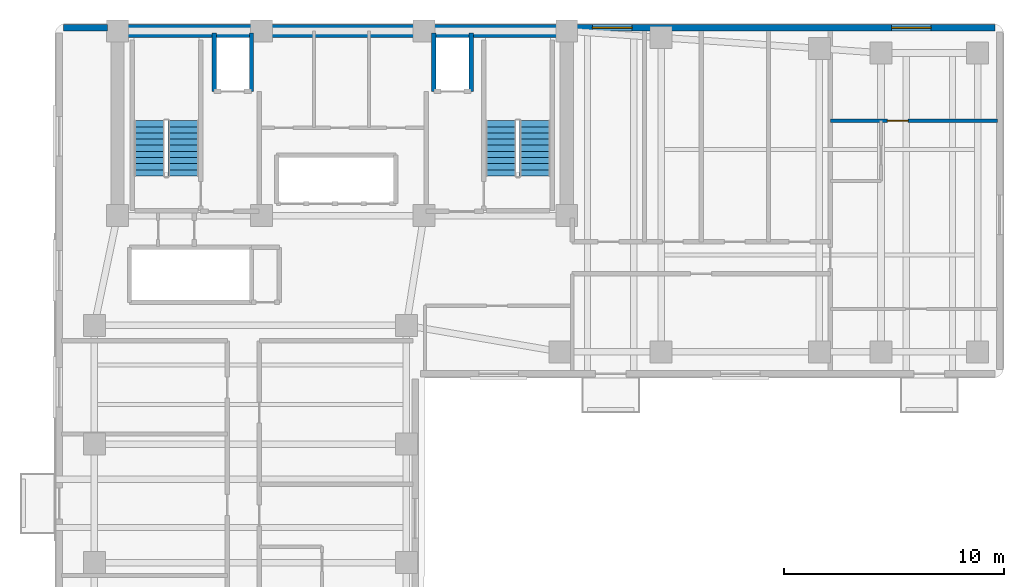
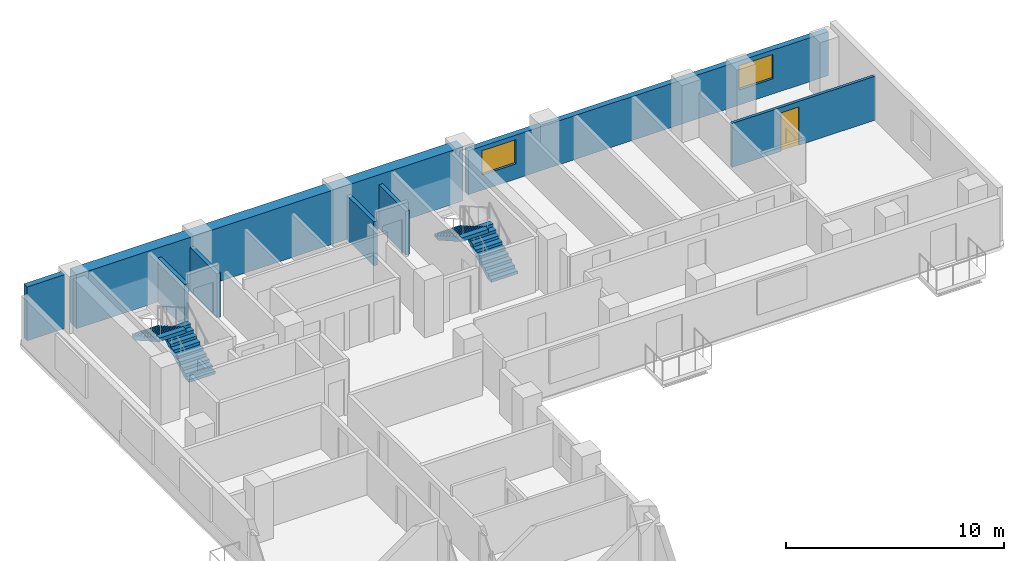
# One storey, part 5 of 7: 8 walls, 4 stair flights, 2 windows, 1 door, 3 openings, 2 elements without a shape of their own.
"""IFC4 building model written with IfcOpenShell, lengths in metres."""

from ifc_helpers import new_model, si_unit, direction, frame, frame_2d, origin, place, context, subcontext, project, spatial, polyline, rectangle, outline, extrude, material, layer, layer_set, type_object, element, fill, aggregate, save


model = new_model("IFC4")

# Units and contexts
model_context = context("Model", 3, precision=1e-05, world=origin(), true_north=direction((0.0, 1.0)))
body_context = subcontext(model_context, "Body", "Model", "MODEL_VIEW")
ifc_project = project(units=[si_unit("LENGTHUNIT", "METRE"), si_unit("AREAUNIT", "SQUARE_METRE"), si_unit("VOLUMEUNIT", "CUBIC_METRE"), si_unit("PLANEANGLEUNIT", "RADIAN"), si_unit("MASSUNIT", "GRAM", prefix="KILO")], contexts=[model_context])

# Site, building, storey
site_placement = place(None, origin())
site = spatial("IfcSite", under=ifc_project, at=site_placement, CompositionType="ELEMENT")
building_placement = place(site_placement, origin())
building = spatial("IfcBuilding", under=site, at=building_placement, Name="Kuzgunbayir Cultural Tower", CompositionType="ELEMENT")
storey_placement = place(building_placement, frame((0.0, 0.0, 133.0)))
storey = spatial("IfcBuildingStorey", under=building, at=storey_placement, Name="L38", CompositionType="ELEMENT", Elevation=133.0)

# Wall
ifc_material_1 = material(Name="Concrete C60/75", Category="concrete")
ifc_layer_1 = layer(ifc_material_1, 0.60009765625)
ifc_layer_set_1 = layer_set([ifc_layer_1], Name="Concrete C60/75")
wall_type_1 = type_object("IfcWallType", Name="WAL-CORE-600", PredefinedType="SHEAR", material=ifc_layer_set_1)
wall_1_placement = place(storey_placement, frame((6.449951171875, 42.199951171875, 0.0), z_axis=(0.0, 0.0, 1.0), x_axis=(1.0, 0.0, 0.0)))
element("IfcWall", 1, at=wall_1_placement, inside=storey, type_object=wall_type_1, Name="L38 T1 Core North Shear Wall", PredefinedType="SHEAR", context=body_context, shape_type="SweptSolid", body=[
    extrude(rectangle(XDim=20.449951171875, YDim=0.60009765625, at=frame_2d((10.22509765625, 0.0))), origin(), (0.0, 0.0, 1.0), 3.02001953125),
])

# Wall, openings, windows
ifc_material_2 = material(Name="Anatolian Cream Limestone", Category="masonry")
ifc_layer_2 = layer(ifc_material_2, 0.300048828125)
ifc_layer_set_2 = layer_set([ifc_layer_2], Name="Anatolian Cream Limestone")
wall_type_2 = type_object("IfcWallType", Name="WAL-EXT-STONE-300", PredefinedType="STANDARD", material=ifc_layer_set_2)
wall_2_placement = place(storey_placement, frame((46.39990234375, 42.35009765625, 0.0), z_axis=(0.0, 0.0, 1.0), x_axis=(-1.0, 0.0, 0.0)))
wall_2 = element("IfcWall", 2, at=wall_2_placement, inside=storey, type_object=wall_type_2, Name="L38 North Wing B Limestone Wall", PredefinedType="STANDARD", context=body_context, shape_type="SweptSolid", body=[
    extrude(rectangle(XDim=19.0498046875, YDim=0.300048828125, at=frame_2d((9.52490234375, 0.0))), origin(), (0.0, 0.0, 1.0), 2.4599609375),
])
opening_1_placement = place(wall_2_placement, frame((2.919921875, 0.0, 0.85009765625)))
opening_1 = element("IfcOpeningElement", 3, at=opening_1_placement, cuts=wall_2, Name="Opening WH-18", PredefinedType="OPENING", context=body_context, shape_type="SweptSolid", body=[
    extrude(rectangle(XDim=1.800048828125, YDim=1.360107421875, at=frame_2d((0.89990234375, 0.68017578125))), frame((0.0, 0.16015625, 0.0), z_axis=(0.0, -1.0, 0.0), x_axis=(1.0, 0.0, 0.0)), (0.0, 0.0, 1.0), 0.320068359375),
])
opening_2_placement = place(wall_2_placement, frame((16.530029296875, 0.0, 0.85009765625)))
opening_2 = element("IfcOpeningElement", 4, at=opening_2_placement, cuts=wall_2, Name="Opening WH-18", PredefinedType="OPENING", context=body_context, shape_type="SweptSolid", body=[
    extrude(rectangle(XDim=1.800048828125, YDim=1.360107421875, at=frame_2d((0.89990234375, 0.68017578125))), frame((0.0, 0.16015625, 0.0), z_axis=(0.0, -1.0, 0.0), x_axis=(1.0, 0.0, 0.0)), (0.0, 0.0, 1.0), 0.320068359375),
])
ifc_material_3 = material(Name="Solar-Control Triple Glazing", Category="glass")
window_type = type_object("IfcWindowType", Name="WIN-HOTEL-18", PartitioningType="SINGLE_PANEL", PredefinedType="WINDOW", material=ifc_material_3)
window_1_placement = place(opening_1_placement, origin())
window_1 = element("IfcWindow", 5, at=window_1_placement, inside=storey, type_object=window_type, Name="L38 CRN Facade Window 8", OverallHeight=1.360107421875, OverallWidth=1.800048828125, PartitioningType="SINGLE_PANEL", PredefinedType="WINDOW", context=body_context, shape_type="SweptSolid", body=[
    extrude(rectangle(XDim=1.800048828125, YDim=1.360107421875, at=frame_2d((0.89990234375, 0.68017578125))), frame((0.0, 0.030029296875, 0.0), z_axis=(0.0, -1.0, 0.0), x_axis=(1.0, 0.0, 0.0)), (0.0, 0.0, 1.0), 0.06005859375),
])
fill(opening_1, window_1)
window_2_placement = place(opening_2_placement, origin())
window_2 = element("IfcWindow", 6, at=window_2_placement, inside=storey, type_object=window_type, Name="L38 CRN Facade Window 9", OverallHeight=1.360107421875, OverallWidth=1.800048828125, PartitioningType="SINGLE_PANEL", PredefinedType="WINDOW", context=body_context, shape_type="SweptSolid", body=[
    extrude(rectangle(XDim=1.800048828125, YDim=1.360107421875, at=frame_2d((0.89990234375, 0.68017578125))), frame((0.0, 0.030029296875, 0.0), z_axis=(0.0, -1.0, 0.0), x_axis=(1.0, 0.0, 0.0)), (0.0, 0.0, 1.0), 0.06005859375),
])
fill(opening_2, window_2)

# Wall
wall_3_placement = place(storey_placement, frame((6.0, 42.35009765625, 0.0), z_axis=(0.0, 0.0, 1.0), x_axis=(-1.0, 0.0, 0.0)))
element("IfcWall", 7, at=wall_3_placement, inside=storey, type_object=wall_type_2, Name="L38 Core North-West Spandrel Link", PredefinedType="STANDARD", context=body_context, shape_type="SweptSolid", body=[
    extrude(rectangle(XDim=2.0, YDim=0.300048828125, at=frame_2d((1.0, 0.0))), origin(), (0.0, 0.0, 1.0), 3.02001953125),
])

# Wall, opening, door
ifc_material_4 = material(Name="Acoustic Double-Stud Drywall", Category="gypsum")
ifc_layer_3 = layer(ifc_material_4, 0.14990234375)
ifc_layer_set_3 = layer_set([ifc_layer_3], Name="Acoustic Double-Stud Drywall")
wall_type_3 = type_object("IfcWallType", Name="WAL-PART-ACOUSTIC-150", PredefinedType="PARTITIONING", material=ifc_layer_set_3)
wall_4_placement = place(storey_placement, frame((38.89990234375, 38.1201171875, 0.0), z_axis=(0.0, 0.0, 1.0), x_axis=(1.0, 0.0, 0.0)))
wall_4 = element("IfcWall", 8, at=wall_4_placement, inside=storey, type_object=wall_type_3, Name="L38 Corner Suite Bedroom Wall", PredefinedType="PARTITIONING", context=body_context, shape_type="SweptSolid", body=[
    extrude(rectangle(XDim=7.60009765625, YDim=0.14990234375, at=frame_2d((3.800048828125, 0.0))), origin(), (0.0, 0.0, 1.0), 2.4599609375),
])
opening_3_placement = place(wall_4_placement, frame((2.590087890625, 0.0, 0.0)))
opening_3 = element("IfcOpeningElement", 9, at=opening_3_placement, cuts=wall_4, Name="Opening DI-90", PredefinedType="OPENING", context=body_context, shape_type="SweptSolid", body=[
    extrude(rectangle(XDim=0.949951171875, YDim=2.14990234375, at=frame_2d((0.47509765625, 1.074951171875))), frame((0.0, 0.0849609375, 0.0), z_axis=(0.0, -1.0, 0.0), x_axis=(1.0, 0.0, 0.0)), (0.0, 0.0, 1.0), 0.169921875),
])
ifc_material_5 = material(Name="Veneered Oak Single Leaf", Category="wood")
door_type = type_object("IfcDoorType", Name="DR-INT-90", OperationType="NOTDEFINED", PredefinedType="DOOR", material=ifc_material_5)
door_placement = place(opening_3_placement, origin())
door = element("IfcDoor", 10, at=door_placement, inside=storey, type_object=door_type, Name="L38 Corner Bedroom Door", OperationType="SINGLE_SWING_LEFT", OverallHeight=2.14990234375, OverallWidth=0.949951171875, PredefinedType="DOOR", context=body_context, shape_type="SweptSolid", body=[
    extrude(rectangle(XDim=0.949951171875, YDim=2.14990234375, at=frame_2d((0.47509765625, 1.074951171875))), frame((0.0, 0.02490234375, 0.0), z_axis=(0.0, -1.0, 0.0), x_axis=(1.0, 0.0, 0.0)), (0.0, 0.0, 1.0), 0.050048828125),
])
fill(opening_3, door)

# Walls
ifc_material_6 = material(Name="Concrete C40/50", Category="concrete")
ifc_layer_4 = layer(ifc_material_6, 0.199951171875)
ifc_layer_set_4 = layer_set([ifc_layer_4], Name="Concrete C40/50")
wall_type_4 = type_object("IfcWallType", Name="WAL-SHAFT-200", PredefinedType="MOVABLE", material=ifc_layer_set_4)
for number, where, z_axis, x_axis, name in (
    (11, (10.85009765625, 39.449951171875, 0.0), (0.0, 0.0, 1.0), (0.0, 1.0, 0.0), "L38 FFL-1 Shaft West Wall"),
    (12, (12.550048828125, 39.449951171875, 0.0), (0.0, 0.0, 1.0), (0.0, 1.0, 0.0), "L38 FFL-1 Shaft East Wall"),
    (13, (20.85009765625, 39.449951171875, 0.0), (0.0, 0.0, 1.0), (0.0, 1.0, 0.0), "L38 FFL-2 Shaft West Wall"),
    (14, (22.550048828125, 39.449951171875, 0.0), (0.0, 0.0, 1.0), (0.0, 1.0, 0.0), "L38 FFL-2 Shaft East Wall"),
):
    element("IfcWall", number, at=place(storey_placement, frame(where, z_axis=z_axis, x_axis=x_axis)), inside=storey, type_object=wall_type_4, Name=name, PredefinedType="MOVABLE", context=body_context, shape_type="SweptSolid", body=[
        extrude(rectangle(XDim=2.650146484375, YDim=0.199951171875, at=frame_2d((1.3251953125, 0.0))), origin(), (0.0, 0.0, 1.0), 2.4599609375),
    ])

# Stair, stair flights
stair_type = type_object("IfcStairType", Name="STR-EXIT-CORE", PredefinedType="HALF_TURN_STAIR", material=ifc_material_6)
stair_1_placement = place(storey_placement, origin())
stair_1 = element("IfcStair", 15, at=stair_1_placement, inside=storey, type_object=stair_type, Name="L38 ST-1", PredefinedType="HALF_TURN_STAIR")
stair_flight_type = type_object("IfcStairFlightType", Name="STRF-RC-140", PredefinedType="STRAIGHT", material=ifc_material_6)
stair_flight_1_placement = place(storey_placement, frame((9.4599609375, 35.60009765625, 0.0), z_axis=(0.0, 0.0, 1.0), x_axis=(0.0, 1.0, 0.0)))
stair_flight_1 = element("IfcStairFlight", 16, at=stair_flight_1_placement, type_object=stair_flight_type, Name="ST-1 flight 1", NumberOfRisers=10, NumberOfTreads=9, PredefinedType="STRAIGHT", RiserHeight=0.16, TreadLength=0.28, context=body_context, shape_type="SweptSolid", body=[
    extrude(outline(polyline([(0.0, 0.0), (0.0, 0.159912109375), (0.280029296875, 0.159912109375), (0.280029296875, 0.320068359375), (0.56005859375, 0.320068359375), (0.56005859375, 0.47998046875), (0.840087890625, 0.47998046875), (0.840087890625, 0.639892578125), (1.1201171875, 0.639892578125), (1.1201171875, 0.800048828125), (1.39990234375, 0.800048828125), (1.39990234375, 0.9599609375), (1.679931640625, 0.9599609375), (1.679931640625, 1.1201171875), (1.9599609375, 1.1201171875), (1.9599609375, 1.280029296875), (2.239990234375, 1.280029296875), (2.239990234375, 1.43994140625), (2.52001953125, 1.43994140625), (2.52001953125, 1.60009765625), (2.52001953125, 1.232666015625), (0.362548828125, 0.0), (0.0, 0.0)])), frame((0.0, 0.699951171875, 0.0), z_axis=(0.0, -1.0, 0.0), x_axis=(1.0, 0.0, 0.0)), (0.0, 0.0, 1.0), 1.39990234375),
])
stair_flight_2_placement = place(storey_placement, frame((7.89990234375, 38.1201171875, 1.60009765625), z_axis=(0.0, 0.0, 1.0), x_axis=(0.0, -1.0, 0.0)))
stair_flight_2 = element("IfcStairFlight", 17, at=stair_flight_2_placement, type_object=stair_flight_type, Name="ST-1 flight 2", NumberOfRisers=10, NumberOfTreads=9, PredefinedType="STRAIGHT", RiserHeight=0.16, TreadLength=0.28, context=body_context, shape_type="SweptSolid", body=[
    extrude(outline(polyline([(0.0, 0.0), (0.0, 0.159912109375), (0.280029296875, 0.159912109375), (0.280029296875, 0.320068359375), (0.56005859375, 0.320068359375), (0.56005859375, 0.47998046875), (0.840087890625, 0.47998046875), (0.840087890625, 0.639892578125), (1.1201171875, 0.639892578125), (1.1201171875, 0.800048828125), (1.39990234375, 0.800048828125), (1.39990234375, 0.9599609375), (1.679931640625, 0.9599609375), (1.679931640625, 1.1201171875), (1.9599609375, 1.1201171875), (1.9599609375, 1.280029296875), (2.239990234375, 1.280029296875), (2.239990234375, 1.43994140625), (2.52001953125, 1.43994140625), (2.52001953125, 1.60009765625), (2.52001953125, 1.232666015625), (0.362548828125, 0.0), (0.0, 0.0)])), frame((0.0, 0.699951171875, 0.0), z_axis=(0.0, -1.0, 0.0), x_axis=(1.0, 0.0, 0.0)), (0.0, 0.0, 1.0), 1.39990234375),
])
aggregate(stair_1, [stair_flight_1, stair_flight_2])

stair_2_placement = place(storey_placement, origin())
stair_2 = element("IfcStair", 18, at=stair_2_placement, inside=storey, type_object=stair_type, Name="L38 ST-2", PredefinedType="HALF_TURN_STAIR")
stair_flight_3_placement = place(storey_placement, frame((25.4599609375, 35.60009765625, 0.0), z_axis=(0.0, 0.0, 1.0), x_axis=(0.0, 1.0, 0.0)))
stair_flight_3 = element("IfcStairFlight", 19, at=stair_flight_3_placement, type_object=stair_flight_type, Name="ST-2 flight 1", NumberOfRisers=10, NumberOfTreads=9, PredefinedType="STRAIGHT", RiserHeight=0.16, TreadLength=0.28, context=body_context, shape_type="SweptSolid", body=[
    extrude(outline(polyline([(0.0, 0.0), (0.0, 0.159912109375), (0.280029296875, 0.159912109375), (0.280029296875, 0.320068359375), (0.56005859375, 0.320068359375), (0.56005859375, 0.47998046875), (0.840087890625, 0.47998046875), (0.840087890625, 0.639892578125), (1.1201171875, 0.639892578125), (1.1201171875, 0.800048828125), (1.39990234375, 0.800048828125), (1.39990234375, 0.9599609375), (1.679931640625, 0.9599609375), (1.679931640625, 1.1201171875), (1.9599609375, 1.1201171875), (1.9599609375, 1.280029296875), (2.239990234375, 1.280029296875), (2.239990234375, 1.43994140625), (2.52001953125, 1.43994140625), (2.52001953125, 1.60009765625), (2.52001953125, 1.232666015625), (0.362548828125, 0.0), (0.0, 0.0)])), frame((0.0, 0.699951171875, 0.0), z_axis=(0.0, -1.0, 0.0), x_axis=(1.0, 0.0, 0.0)), (0.0, 0.0, 1.0), 1.39990234375),
])
stair_flight_4_placement = place(storey_placement, frame((23.89990234375, 38.1201171875, 1.60009765625), z_axis=(0.0, 0.0, 1.0), x_axis=(0.0, -1.0, 0.0)))
stair_flight_4 = element("IfcStairFlight", 20, at=stair_flight_4_placement, type_object=stair_flight_type, Name="ST-2 flight 2", NumberOfRisers=10, NumberOfTreads=9, PredefinedType="STRAIGHT", RiserHeight=0.16, TreadLength=0.28, context=body_context, shape_type="SweptSolid", body=[
    extrude(outline(polyline([(0.0, 0.0), (0.0, 0.159912109375), (0.280029296875, 0.159912109375), (0.280029296875, 0.320068359375), (0.56005859375, 0.320068359375), (0.56005859375, 0.47998046875), (0.840087890625, 0.47998046875), (0.840087890625, 0.639892578125), (1.1201171875, 0.639892578125), (1.1201171875, 0.800048828125), (1.39990234375, 0.800048828125), (1.39990234375, 0.9599609375), (1.679931640625, 0.9599609375), (1.679931640625, 1.1201171875), (1.9599609375, 1.1201171875), (1.9599609375, 1.280029296875), (2.239990234375, 1.280029296875), (2.239990234375, 1.43994140625), (2.52001953125, 1.43994140625), (2.52001953125, 1.60009765625), (2.52001953125, 1.232666015625), (0.362548828125, 0.0), (0.0, 0.0)])), frame((0.0, 0.699951171875, 0.0), z_axis=(0.0, -1.0, 0.0), x_axis=(1.0, 0.0, 0.0)), (0.0, 0.0, 1.0), 1.39990234375),
])
aggregate(stair_2, [stair_flight_3, stair_flight_4])

save(model, "model.ifc")
